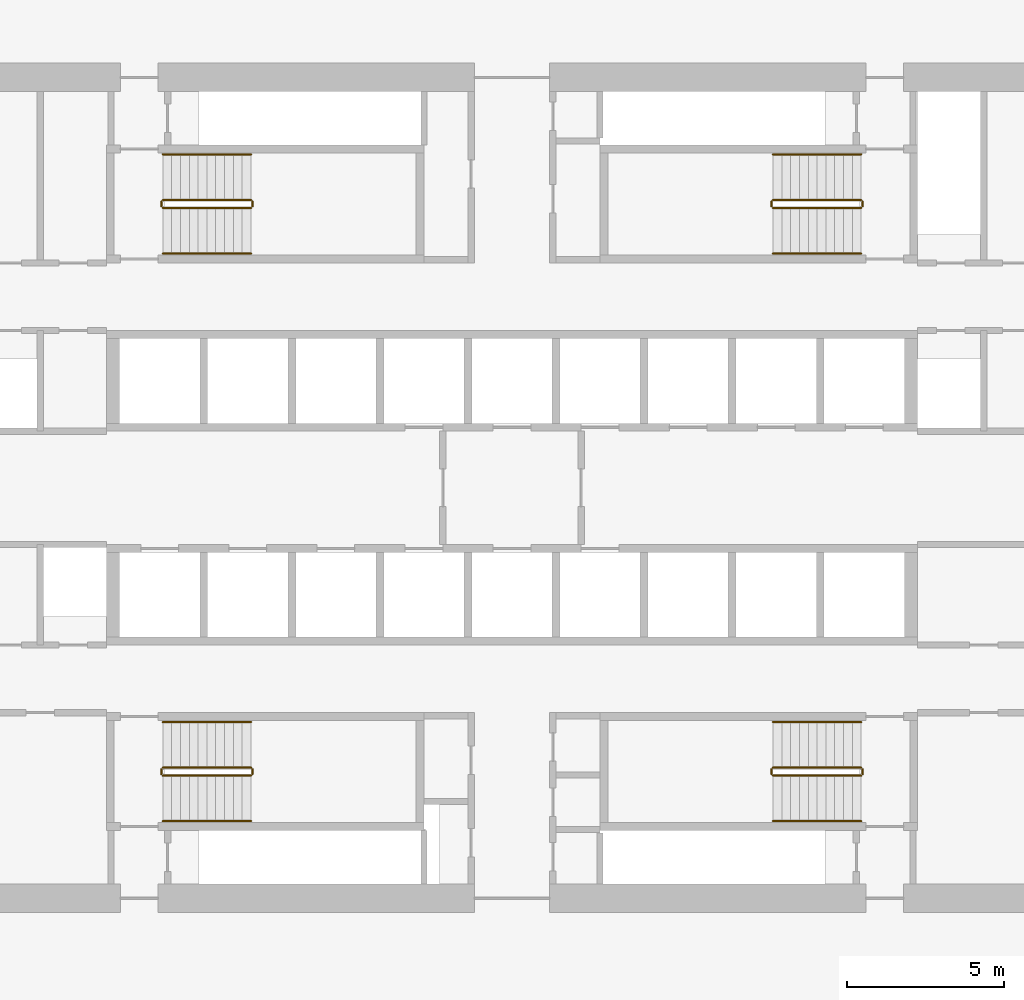
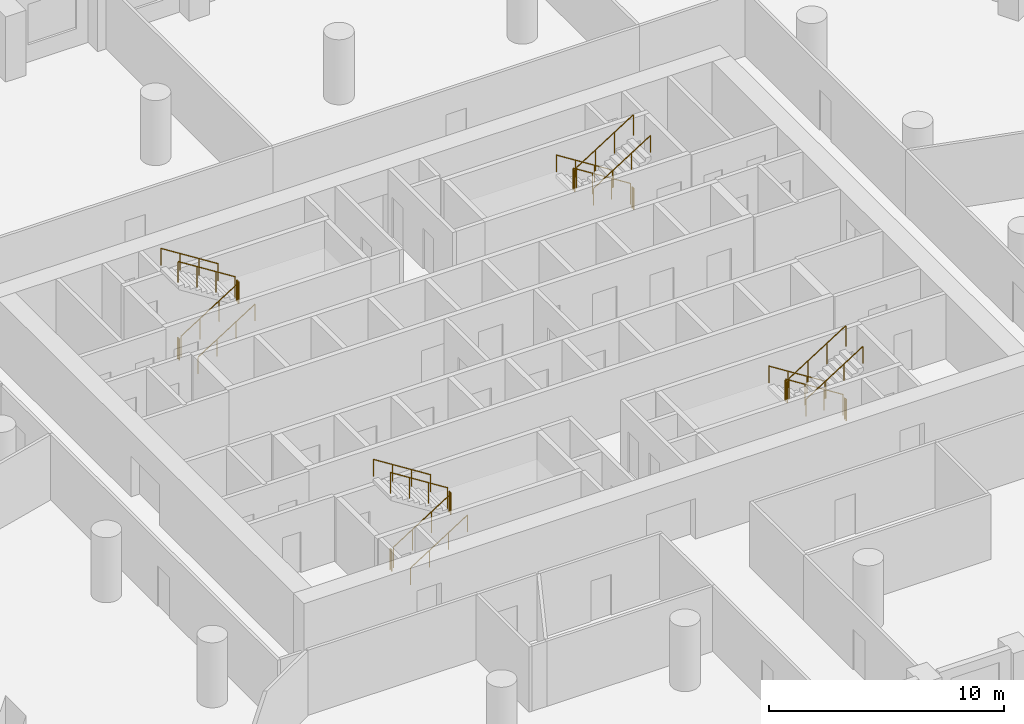
# One storey, part 9 of 9: 24 railings.
"""IFC4 building model written with IfcOpenShell, lengths in metres."""

from ifc_helpers import new_model, si_unit, direction, frame, origin, origin_2d, place, context, subcontext, project, spatial, circle, extrude, material, type_object, element, save


model = new_model("IFC4")

# Units and contexts
model_context = context("Model", 3, precision=1e-05, world=origin(), true_north=direction((0.0, 1.0)))
body_context = subcontext(model_context, "Body", "Model", "MODEL_VIEW")
ifc_project = project(units=[si_unit("LENGTHUNIT", "METRE"), si_unit("AREAUNIT", "SQUARE_METRE"), si_unit("VOLUMEUNIT", "CUBIC_METRE"), si_unit("PLANEANGLEUNIT", "RADIAN"), si_unit("MASSUNIT", "GRAM", prefix="KILO")], contexts=[model_context])

# Site, building, storey
site_placement = place(None, origin())
site = spatial("IfcSite", under=ifc_project, at=site_placement, CompositionType="ELEMENT")
building_placement = place(site_placement, origin())
building = spatial("IfcBuilding", under=site, at=building_placement, Name="Dhurran Vertical Campus", CompositionType="ELEMENT")
storey_placement = place(building_placement, frame((0.0, 0.0, 124.199951171875)))
storey = spatial("IfcBuildingStorey", under=building, at=storey_placement, Name="L30", CompositionType="ELEMENT", Elevation=124.199951171875)

# Railings
ifc_material_1 = material(Name="Stainless steel balustrade", Category="steel")
railing_type_1 = type_object("IfcRailingType", Name="co-RL-GUARD-1100", PredefinedType="GUARDRAIL", material=ifc_material_1)
railing_1_placement = place(storey_placement, frame((-11.10009765625, 8.89990234375, 0.17724609375)))
element("IfcRailing", 1, at=railing_1_placement, inside=storey, type_object=railing_type_1, Name="L30 ST1 stair guard 1", PredefinedType="GUARDRAIL", context=body_context, shape_type="SweptSolid", body=[
    extrude(circle(Radius=0.02392578125, at=origin_2d()), frame((0.0, 0.0, 1.076171875), z_axis=(0.844908973607, 0.0, 0.534910110503), x_axis=(0.0, 1.0, 0.0)), (0.0, 0.0, 1.0), 3.31396484375),
    extrude(circle(Radius=0.02099609375, at=origin_2d()), origin(), (0.0, 0.0, 1.0), 1.052001953125),
    extrude(circle(Radius=0.02099609375, at=origin_2d()), frame((0.933349609375, 0.0, 0.5908203125)), (0.0, 0.0, 1.0), 1.052001953125),
    extrude(circle(Radius=0.02099609375, at=origin_2d()), frame((1.86669921875, 0.0, 1.181884765625)), (0.0, 0.0, 1.0), 1.052001953125),
    extrude(circle(Radius=0.02099609375, at=origin_2d()), frame((2.800048828125, 0.0, 1.772705078125)), (0.0, 0.0, 1.0), 1.052001953125),
])
railing_2_placement = place(storey_placement, frame((-8.25, 8.949951171875, 1.949951171875)))
element("IfcRailing", 2, at=railing_2_placement, inside=storey, type_object=railing_type_1, Name="L30 ST1 stair guard 2", PredefinedType="GUARDRAIL", context=body_context, shape_type="SweptSolid", body=[
    extrude(circle(Radius=0.02392578125, at=origin_2d()), frame((0.0, 0.0, 1.076171875), z_axis=(0.0, 1.0, 0.0), x_axis=(-1.0, 0.0, 0.0)), (0.0, 0.0, 1.0), 0.150146484375),
    extrude(circle(Radius=0.02099609375, at=origin_2d()), origin(), (0.0, 0.0, 1.0), 1.052001953125),
    extrude(circle(Radius=0.02099609375, at=origin_2d()), frame((0.0, 0.150146484375, 0.0)), (0.0, 0.0, 1.0), 1.052001953125),
])
railing_3_placement = place(storey_placement, frame((-8.300048828125, 9.14990234375, 2.12744140625)))
element("IfcRailing", 3, at=railing_3_placement, inside=storey, type_object=railing_type_1, Name="L30 ST1 stair guard 3", PredefinedType="GUARDRAIL", context=body_context, shape_type="SweptSolid", body=[
    extrude(circle(Radius=0.02392578125, at=origin_2d()), frame((0.0, 0.0, 1.076171875), z_axis=(-0.844908973607, 0.0, 0.534910110503), x_axis=(0.0, -1.0, 0.0)), (0.0, 0.0, 1.0), 3.31396484375),
    extrude(circle(Radius=0.02099609375, at=origin_2d()), origin(), (0.0, 0.0, 1.0), 1.052001953125),
    extrude(circle(Radius=0.02099609375, at=origin_2d()), frame((-0.933349609375, 0.0, 0.5908203125)), (0.0, 0.0, 1.0), 1.052001953125),
    extrude(circle(Radius=0.02099609375, at=origin_2d()), frame((-1.86669921875, 0.0, 1.181884765625)), (0.0, 0.0, 1.0), 1.052001953125),
    extrude(circle(Radius=0.02099609375, at=origin_2d()), frame((-2.800048828125, 0.0, 1.772705078125)), (0.0, 0.0, 1.0), 1.052001953125),
])
railing_4_placement = place(storey_placement, frame((-11.14990234375, 8.949951171875, 0.0)))
element("IfcRailing", 4, at=railing_4_placement, inside=storey, type_object=railing_type_1, Name="L30 ST1 stair guard 4", PredefinedType="GUARDRAIL", context=body_context, shape_type="SweptSolid", body=[
    extrude(circle(Radius=0.02392578125, at=origin_2d()), frame((0.0, 0.0, 1.076171875), z_axis=(0.0, 1.0, 0.0), x_axis=(-1.0, 0.0, 0.0)), (0.0, 0.0, 1.0), 0.150146484375),
    extrude(circle(Radius=0.02099609375, at=origin_2d()), origin(), (0.0, 0.0, 1.0), 1.052001953125),
    extrude(circle(Radius=0.02099609375, at=origin_2d()), frame((0.0, 0.150146484375, 0.0)), (0.0, 0.0, 1.0), 1.052001953125),
])
railing_5_placement = place(storey_placement, frame((11.10009765625, 9.14990234375, 0.17724609375)))
element("IfcRailing", 5, at=railing_5_placement, inside=storey, type_object=railing_type_1, Name="L30 ST2 stair guard 1", PredefinedType="GUARDRAIL", context=body_context, shape_type="SweptSolid", body=[
    extrude(circle(Radius=0.02392578125, at=origin_2d()), frame((0.0, 0.0, 1.076171875), z_axis=(-0.844908973607, 0.0, 0.534910110503), x_axis=(0.0, -1.0, 0.0)), (0.0, 0.0, 1.0), 3.31396484375),
    extrude(circle(Radius=0.02099609375, at=origin_2d()), origin(), (0.0, 0.0, 1.0), 1.052001953125),
    extrude(circle(Radius=0.02099609375, at=origin_2d()), frame((-0.933349609375, 0.0, 0.5908203125)), (0.0, 0.0, 1.0), 1.052001953125),
    extrude(circle(Radius=0.02099609375, at=origin_2d()), frame((-1.86669921875, 0.0, 1.181884765625)), (0.0, 0.0, 1.0), 1.052001953125),
    extrude(circle(Radius=0.02099609375, at=origin_2d()), frame((-2.800048828125, 0.0, 1.772705078125)), (0.0, 0.0, 1.0), 1.052001953125),
])
railing_6_placement = place(storey_placement, frame((8.25, 9.10009765625, 1.949951171875)))
element("IfcRailing", 6, at=railing_6_placement, inside=storey, type_object=railing_type_1, Name="L30 ST2 stair guard 2", PredefinedType="GUARDRAIL", context=body_context, shape_type="SweptSolid", body=[
    extrude(circle(Radius=0.02392578125, at=origin_2d()), frame((0.0, 0.0, 1.076171875), z_axis=(0.0, -1.0, 0.0), x_axis=(1.0, 0.0, 0.0)), (0.0, 0.0, 1.0), 0.150146484375),
    extrude(circle(Radius=0.02099609375, at=origin_2d()), origin(), (0.0, 0.0, 1.0), 1.052001953125),
    extrude(circle(Radius=0.02099609375, at=origin_2d()), frame((0.0, -0.150146484375, 0.0)), (0.0, 0.0, 1.0), 1.052001953125),
])
railing_7_placement = place(storey_placement, frame((8.300048828125, 8.89990234375, 2.12744140625)))
element("IfcRailing", 7, at=railing_7_placement, inside=storey, type_object=railing_type_1, Name="L30 ST2 stair guard 3", PredefinedType="GUARDRAIL", context=body_context, shape_type="SweptSolid", body=[
    extrude(circle(Radius=0.02392578125, at=origin_2d()), frame((0.0, 0.0, 1.076171875), z_axis=(0.844908973607, 0.0, 0.534910110503), x_axis=(0.0, 1.0, 0.0)), (0.0, 0.0, 1.0), 3.31396484375),
    extrude(circle(Radius=0.02099609375, at=origin_2d()), origin(), (0.0, 0.0, 1.0), 1.052001953125),
    extrude(circle(Radius=0.02099609375, at=origin_2d()), frame((0.933349609375, 0.0, 0.5908203125)), (0.0, 0.0, 1.0), 1.052001953125),
    extrude(circle(Radius=0.02099609375, at=origin_2d()), frame((1.86669921875, 0.0, 1.181884765625)), (0.0, 0.0, 1.0), 1.052001953125),
    extrude(circle(Radius=0.02099609375, at=origin_2d()), frame((2.800048828125, 0.0, 1.772705078125)), (0.0, 0.0, 1.0), 1.052001953125),
])
railing_8_placement = place(storey_placement, frame((11.14990234375, 9.10009765625, 0.0)))
element("IfcRailing", 8, at=railing_8_placement, inside=storey, type_object=railing_type_1, Name="L30 ST2 stair guard 4", PredefinedType="GUARDRAIL", context=body_context, shape_type="SweptSolid", body=[
    extrude(circle(Radius=0.02392578125, at=origin_2d()), frame((0.0, 0.0, 1.076171875), z_axis=(0.0, -1.0, 0.0), x_axis=(1.0, 0.0, 0.0)), (0.0, 0.0, 1.0), 0.150146484375),
    extrude(circle(Radius=0.02099609375, at=origin_2d()), origin(), (0.0, 0.0, 1.0), 1.052001953125),
    extrude(circle(Radius=0.02099609375, at=origin_2d()), frame((0.0, -0.150146484375, 0.0)), (0.0, 0.0, 1.0), 1.052001953125),
])
railing_9_placement = place(storey_placement, frame((-11.10009765625, -9.14990234375, 0.17724609375)))
element("IfcRailing", 9, at=railing_9_placement, inside=storey, type_object=railing_type_1, Name="L30 ST3 stair guard 1", PredefinedType="GUARDRAIL", context=body_context, shape_type="SweptSolid", body=[
    extrude(circle(Radius=0.02392578125, at=origin_2d()), frame((0.0, 0.0, 1.076171875), z_axis=(0.844908973607, 0.0, 0.534910110503), x_axis=(0.0, 1.0, 0.0)), (0.0, 0.0, 1.0), 3.31396484375),
    extrude(circle(Radius=0.02099609375, at=origin_2d()), origin(), (0.0, 0.0, 1.0), 1.052001953125),
    extrude(circle(Radius=0.02099609375, at=origin_2d()), frame((0.933349609375, 0.0, 0.5908203125)), (0.0, 0.0, 1.0), 1.052001953125),
    extrude(circle(Radius=0.02099609375, at=origin_2d()), frame((1.86669921875, 0.0, 1.181884765625)), (0.0, 0.0, 1.0), 1.052001953125),
    extrude(circle(Radius=0.02099609375, at=origin_2d()), frame((2.800048828125, 0.0, 1.772705078125)), (0.0, 0.0, 1.0), 1.052001953125),
])
railing_10_placement = place(storey_placement, frame((-8.25, -9.10009765625, 1.949951171875)))
element("IfcRailing", 10, at=railing_10_placement, inside=storey, type_object=railing_type_1, Name="L30 ST3 stair guard 2", PredefinedType="GUARDRAIL", context=body_context, shape_type="SweptSolid", body=[
    extrude(circle(Radius=0.02392578125, at=origin_2d()), frame((0.0, 0.0, 1.076171875), z_axis=(0.0, 1.0, 0.0), x_axis=(-1.0, 0.0, 0.0)), (0.0, 0.0, 1.0), 0.150146484375),
    extrude(circle(Radius=0.02099609375, at=origin_2d()), origin(), (0.0, 0.0, 1.0), 1.052001953125),
    extrude(circle(Radius=0.02099609375, at=origin_2d()), frame((0.0, 0.150146484375, 0.0)), (0.0, 0.0, 1.0), 1.052001953125),
])
railing_11_placement = place(storey_placement, frame((-8.300048828125, -8.89990234375, 2.12744140625)))
element("IfcRailing", 11, at=railing_11_placement, inside=storey, type_object=railing_type_1, Name="L30 ST3 stair guard 3", PredefinedType="GUARDRAIL", context=body_context, shape_type="SweptSolid", body=[
    extrude(circle(Radius=0.02392578125, at=origin_2d()), frame((0.0, 0.0, 1.076171875), z_axis=(-0.844908973607, 0.0, 0.534910110503), x_axis=(0.0, -1.0, 0.0)), (0.0, 0.0, 1.0), 3.31396484375),
    extrude(circle(Radius=0.02099609375, at=origin_2d()), origin(), (0.0, 0.0, 1.0), 1.052001953125),
    extrude(circle(Radius=0.02099609375, at=origin_2d()), frame((-0.933349609375, 0.0, 0.5908203125)), (0.0, 0.0, 1.0), 1.052001953125),
    extrude(circle(Radius=0.02099609375, at=origin_2d()), frame((-1.86669921875, 0.0, 1.181884765625)), (0.0, 0.0, 1.0), 1.052001953125),
    extrude(circle(Radius=0.02099609375, at=origin_2d()), frame((-2.800048828125, 0.0, 1.772705078125)), (0.0, 0.0, 1.0), 1.052001953125),
])
railing_12_placement = place(storey_placement, frame((-11.14990234375, -9.10009765625, 0.0)))
element("IfcRailing", 12, at=railing_12_placement, inside=storey, type_object=railing_type_1, Name="L30 ST3 stair guard 4", PredefinedType="GUARDRAIL", context=body_context, shape_type="SweptSolid", body=[
    extrude(circle(Radius=0.02392578125, at=origin_2d()), frame((0.0, 0.0, 1.076171875), z_axis=(0.0, 1.0, 0.0), x_axis=(-1.0, 0.0, 0.0)), (0.0, 0.0, 1.0), 0.150146484375),
    extrude(circle(Radius=0.02099609375, at=origin_2d()), origin(), (0.0, 0.0, 1.0), 1.052001953125),
    extrude(circle(Radius=0.02099609375, at=origin_2d()), frame((0.0, 0.150146484375, 0.0)), (0.0, 0.0, 1.0), 1.052001953125),
])
railing_13_placement = place(storey_placement, frame((11.10009765625, -8.89990234375, 0.17724609375)))
element("IfcRailing", 13, at=railing_13_placement, inside=storey, type_object=railing_type_1, Name="L30 ST4 stair guard 1", PredefinedType="GUARDRAIL", context=body_context, shape_type="SweptSolid", body=[
    extrude(circle(Radius=0.02392578125, at=origin_2d()), frame((0.0, 0.0, 1.076171875), z_axis=(-0.844908973607, 0.0, 0.534910110503), x_axis=(0.0, -1.0, 0.0)), (0.0, 0.0, 1.0), 3.31396484375),
    extrude(circle(Radius=0.02099609375, at=origin_2d()), origin(), (0.0, 0.0, 1.0), 1.052001953125),
    extrude(circle(Radius=0.02099609375, at=origin_2d()), frame((-0.933349609375, 0.0, 0.5908203125)), (0.0, 0.0, 1.0), 1.052001953125),
    extrude(circle(Radius=0.02099609375, at=origin_2d()), frame((-1.86669921875, 0.0, 1.181884765625)), (0.0, 0.0, 1.0), 1.052001953125),
    extrude(circle(Radius=0.02099609375, at=origin_2d()), frame((-2.800048828125, 0.0, 1.772705078125)), (0.0, 0.0, 1.0), 1.052001953125),
])
railing_14_placement = place(storey_placement, frame((8.25, -8.949951171875, 1.949951171875)))
element("IfcRailing", 14, at=railing_14_placement, inside=storey, type_object=railing_type_1, Name="L30 ST4 stair guard 2", PredefinedType="GUARDRAIL", context=body_context, shape_type="SweptSolid", body=[
    extrude(circle(Radius=0.02392578125, at=origin_2d()), frame((0.0, 0.0, 1.076171875), z_axis=(0.0, -1.0, 0.0), x_axis=(1.0, 0.0, 0.0)), (0.0, 0.0, 1.0), 0.150146484375),
    extrude(circle(Radius=0.02099609375, at=origin_2d()), origin(), (0.0, 0.0, 1.0), 1.052001953125),
    extrude(circle(Radius=0.02099609375, at=origin_2d()), frame((0.0, -0.150146484375, 0.0)), (0.0, 0.0, 1.0), 1.052001953125),
])
railing_15_placement = place(storey_placement, frame((8.300048828125, -9.14990234375, 2.12744140625)))
element("IfcRailing", 15, at=railing_15_placement, inside=storey, type_object=railing_type_1, Name="L30 ST4 stair guard 3", PredefinedType="GUARDRAIL", context=body_context, shape_type="SweptSolid", body=[
    extrude(circle(Radius=0.02392578125, at=origin_2d()), frame((0.0, 0.0, 1.076171875), z_axis=(0.844908973607, 0.0, 0.534910110503), x_axis=(0.0, 1.0, 0.0)), (0.0, 0.0, 1.0), 3.31396484375),
    extrude(circle(Radius=0.02099609375, at=origin_2d()), origin(), (0.0, 0.0, 1.0), 1.052001953125),
    extrude(circle(Radius=0.02099609375, at=origin_2d()), frame((0.933349609375, 0.0, 0.5908203125)), (0.0, 0.0, 1.0), 1.052001953125),
    extrude(circle(Radius=0.02099609375, at=origin_2d()), frame((1.86669921875, 0.0, 1.181884765625)), (0.0, 0.0, 1.0), 1.052001953125),
    extrude(circle(Radius=0.02099609375, at=origin_2d()), frame((2.800048828125, 0.0, 1.772705078125)), (0.0, 0.0, 1.0), 1.052001953125),
])
railing_16_placement = place(storey_placement, frame((11.14990234375, -8.949951171875, 0.0)))
element("IfcRailing", 16, at=railing_16_placement, inside=storey, type_object=railing_type_1, Name="L30 ST4 stair guard 4", PredefinedType="GUARDRAIL", context=body_context, shape_type="SweptSolid", body=[
    extrude(circle(Radius=0.02392578125, at=origin_2d()), frame((0.0, 0.0, 1.076171875), z_axis=(0.0, -1.0, 0.0), x_axis=(1.0, 0.0, 0.0)), (0.0, 0.0, 1.0), 0.150146484375),
    extrude(circle(Radius=0.02099609375, at=origin_2d()), origin(), (0.0, 0.0, 1.0), 1.052001953125),
    extrude(circle(Radius=0.02099609375, at=origin_2d()), frame((0.0, -0.150146484375, 0.0)), (0.0, 0.0, 1.0), 1.052001953125),
])
ifc_material_2 = material(Name="Stainless steel handrail", Category="steel")
railing_type_2 = type_object("IfcRailingType", Name="co-RL-HANDRAIL-900", PredefinedType="HANDRAIL", material=ifc_material_2)
railing_17_placement = place(storey_placement, frame((-11.10009765625, 7.449951171875, 0.17724609375)))
element("IfcRailing", 17, at=railing_17_placement, inside=storey, type_object=railing_type_2, Name="L30 ST1 stair handrail 1", PredefinedType="HANDRAIL", context=body_context, shape_type="SweptSolid", body=[
    extrude(circle(Radius=0.02392578125, at=origin_2d()), frame((0.0, 0.0, 0.8759765625), z_axis=(0.844908973607, 0.0, 0.534910110503), x_axis=(0.0, 1.0, 0.0)), (0.0, 0.0, 1.0), 3.31396484375),
    extrude(circle(Radius=0.02099609375, at=origin_2d()), origin(), (0.0, 0.0, 1.0), 0.851806640625),
    extrude(circle(Radius=0.02099609375, at=origin_2d()), frame((0.933349609375, 0.0, 0.5908203125)), (0.0, 0.0, 1.0), 0.851806640625),
    extrude(circle(Radius=0.02099609375, at=origin_2d()), frame((1.86669921875, 0.0, 1.181884765625)), (0.0, 0.0, 1.0), 0.851806640625),
    extrude(circle(Radius=0.02099609375, at=origin_2d()), frame((2.800048828125, 0.0, 1.772705078125)), (0.0, 0.0, 1.0), 0.851806640625),
])
for number, where, name in (
    (18, (-8.300048828125, 10.60009765625, 2.12744140625), "L30 ST1 stair handrail 2"),
    (19, (11.10009765625, 10.60009765625, 0.17724609375), "L30 ST2 stair handrail 1"),
):
    element("IfcRailing", number, at=place(storey_placement, frame(where)), inside=storey, type_object=railing_type_2, Name=name, PredefinedType="HANDRAIL", context=body_context, shape_type="SweptSolid", body=[
        extrude(circle(Radius=0.02392578125, at=origin_2d()), frame((0.0, 0.0, 0.8759765625), z_axis=(-0.844908973607, 0.0, 0.534910110503), x_axis=(0.0, -1.0, 0.0)), (0.0, 0.0, 1.0), 3.31396484375),
        extrude(circle(Radius=0.02099609375, at=origin_2d()), origin(), (0.0, 0.0, 1.0), 0.851806640625),
        extrude(circle(Radius=0.02099609375, at=origin_2d()), frame((-0.933349609375, 0.0, 0.5908203125)), (0.0, 0.0, 1.0), 0.851806640625),
        extrude(circle(Radius=0.02099609375, at=origin_2d()), frame((-1.86669921875, 0.0, 1.181884765625)), (0.0, 0.0, 1.0), 0.851806640625),
        extrude(circle(Radius=0.02099609375, at=origin_2d()), frame((-2.800048828125, 0.0, 1.772705078125)), (0.0, 0.0, 1.0), 0.851806640625),
    ])
for number, where, name in (
    (20, (8.300048828125, 7.449951171875, 2.12744140625), "L30 ST2 stair handrail 2"),
    (21, (-11.10009765625, -10.60009765625, 0.17724609375), "L30 ST3 stair handrail 1"),
):
    element("IfcRailing", number, at=place(storey_placement, frame(where)), inside=storey, type_object=railing_type_2, Name=name, PredefinedType="HANDRAIL", context=body_context, shape_type="SweptSolid", body=[
        extrude(circle(Radius=0.02392578125, at=origin_2d()), frame((0.0, 0.0, 0.8759765625), z_axis=(0.844908973607, 0.0, 0.534910110503), x_axis=(0.0, 1.0, 0.0)), (0.0, 0.0, 1.0), 3.31396484375),
        extrude(circle(Radius=0.02099609375, at=origin_2d()), origin(), (0.0, 0.0, 1.0), 0.851806640625),
        extrude(circle(Radius=0.02099609375, at=origin_2d()), frame((0.933349609375, 0.0, 0.5908203125)), (0.0, 0.0, 1.0), 0.851806640625),
        extrude(circle(Radius=0.02099609375, at=origin_2d()), frame((1.86669921875, 0.0, 1.181884765625)), (0.0, 0.0, 1.0), 0.851806640625),
        extrude(circle(Radius=0.02099609375, at=origin_2d()), frame((2.800048828125, 0.0, 1.772705078125)), (0.0, 0.0, 1.0), 0.851806640625),
    ])
for number, where, name in (
    (22, (-8.300048828125, -7.449951171875, 2.12744140625), "L30 ST3 stair handrail 2"),
    (23, (11.10009765625, -7.449951171875, 0.17724609375), "L30 ST4 stair handrail 1"),
):
    element("IfcRailing", number, at=place(storey_placement, frame(where)), inside=storey, type_object=railing_type_2, Name=name, PredefinedType="HANDRAIL", context=body_context, shape_type="SweptSolid", body=[
        extrude(circle(Radius=0.02392578125, at=origin_2d()), frame((0.0, 0.0, 0.8759765625), z_axis=(-0.844908973607, 0.0, 0.534910110503), x_axis=(0.0, -1.0, 0.0)), (0.0, 0.0, 1.0), 3.31396484375),
        extrude(circle(Radius=0.02099609375, at=origin_2d()), origin(), (0.0, 0.0, 1.0), 0.851806640625),
        extrude(circle(Radius=0.02099609375, at=origin_2d()), frame((-0.933349609375, 0.0, 0.5908203125)), (0.0, 0.0, 1.0), 0.851806640625),
        extrude(circle(Radius=0.02099609375, at=origin_2d()), frame((-1.86669921875, 0.0, 1.181884765625)), (0.0, 0.0, 1.0), 0.851806640625),
        extrude(circle(Radius=0.02099609375, at=origin_2d()), frame((-2.800048828125, 0.0, 1.772705078125)), (0.0, 0.0, 1.0), 0.851806640625),
    ])
railing_18_placement = place(storey_placement, frame((8.300048828125, -10.60009765625, 2.12744140625)))
element("IfcRailing", 24, at=railing_18_placement, inside=storey, type_object=railing_type_2, Name="L30 ST4 stair handrail 2", PredefinedType="HANDRAIL", context=body_context, shape_type="SweptSolid", body=[
    extrude(circle(Radius=0.02392578125, at=origin_2d()), frame((0.0, 0.0, 0.8759765625), z_axis=(0.844908973607, 0.0, 0.534910110503), x_axis=(0.0, 1.0, 0.0)), (0.0, 0.0, 1.0), 3.31396484375),
    extrude(circle(Radius=0.02099609375, at=origin_2d()), origin(), (0.0, 0.0, 1.0), 0.851806640625),
    extrude(circle(Radius=0.02099609375, at=origin_2d()), frame((0.933349609375, 0.0, 0.5908203125)), (0.0, 0.0, 1.0), 0.851806640625),
    extrude(circle(Radius=0.02099609375, at=origin_2d()), frame((1.86669921875, 0.0, 1.181884765625)), (0.0, 0.0, 1.0), 0.851806640625),
    extrude(circle(Radius=0.02099609375, at=origin_2d()), frame((2.800048828125, 0.0, 1.772705078125)), (0.0, 0.0, 1.0), 0.851806640625),
])

save(model, "model.ifc")
